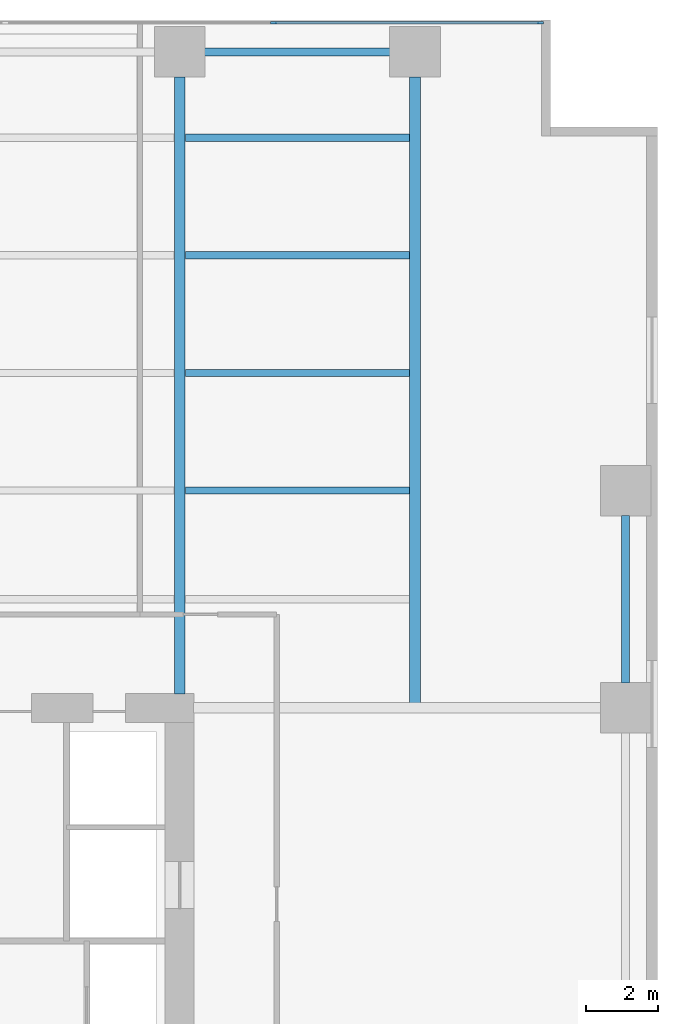
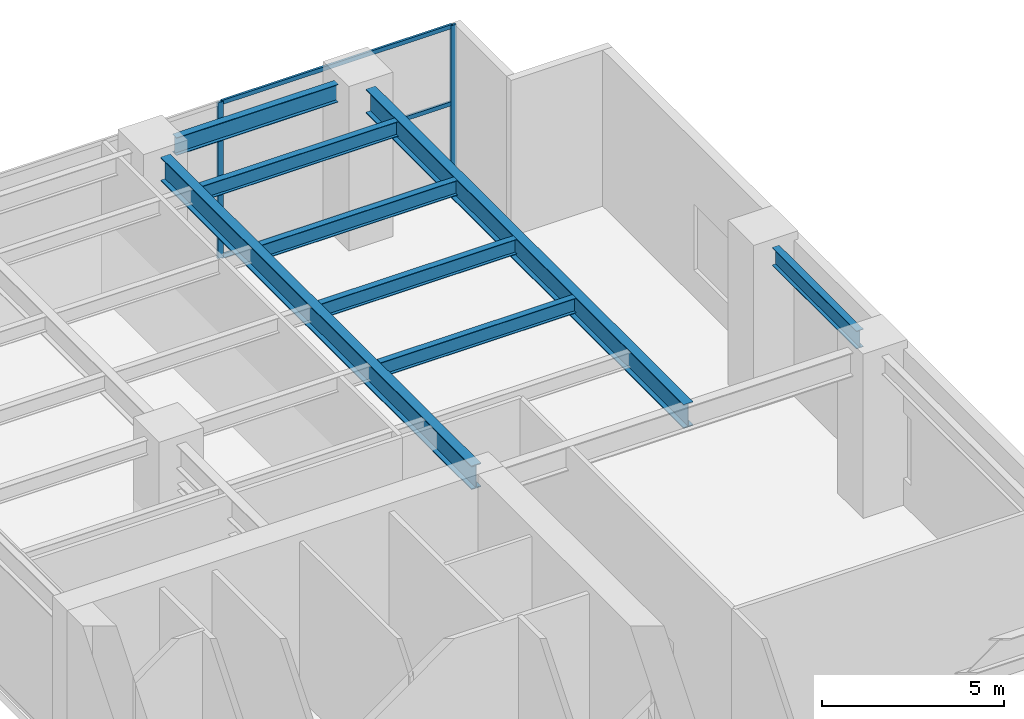
# One storey, part 8 of 17: 8 beams, 5 members, 1 element without a shape of its own.
"""IFC4 building model written with IfcOpenShell, lengths in metres."""

from ifc_helpers import new_model, si_unit, direction, frame, origin, origin_2d, place, context, subcontext, project, spatial, rectangle, i_section, extrude, material, layer, layer_set, material_profile, profile_set, type_object, element, aggregate, save


model = new_model("IFC4")

# Units and contexts
model_context = context("Model", 3, precision=1e-05, world=origin(), true_north=direction((0.0, 1.0)))
body_context = subcontext(model_context, "Body", "Model", "MODEL_VIEW")
ifc_project = project(units=[si_unit("LENGTHUNIT", "METRE"), si_unit("AREAUNIT", "SQUARE_METRE"), si_unit("VOLUMEUNIT", "CUBIC_METRE"), si_unit("PLANEANGLEUNIT", "RADIAN"), si_unit("MASSUNIT", "GRAM", prefix="KILO")], contexts=[model_context])

# Site, building, storey
site_placement = place(None, origin())
site = spatial("IfcSite", under=ifc_project, at=site_placement, CompositionType="ELEMENT")
building_placement = place(site_placement, origin())
building = spatial("IfcBuilding", under=site, at=building_placement, Name="Putna Gate Headquarters", CompositionType="ELEMENT")
storey_placement = place(building_placement, frame((0.0, 0.0, 6.0)))
storey = spatial("IfcBuildingStorey", under=building, at=storey_placement, Name="L01", CompositionType="ELEMENT", Elevation=6.0)

# Beams
ifc_material_1 = material(Name="Steel S355J2", Category="steel")
ifc_material_profile_1 = material_profile(ifc_material_1, i_section(OverallWidth=0.300048828125, OverallDepth=0.800048828125, WebThickness=0.017578125, FlangeThickness=0.032958984375, at=origin_2d()), Name="Steel S355J2")
ifc_profile_set_1 = profile_set([ifc_material_profile_1], Name="Steel S355J2")
beam_type_1 = type_object("IfcBeamType", Name="BM-GIRD-P-HEB800", PredefinedType="USERDEFINED", material=ifc_profile_set_1)
beam_1_placement = place(storey_placement, frame((65.0, 33.385009765625, 4.820068359375), z_axis=(0.0, 1.0, 0.0), x_axis=(-1.0, 0.0, 0.0)))
element("IfcBeam", 1, at=beam_1_placement, inside=storey, type_object=beam_type_1, Name="L01 North Primary Girder X65", ObjectType="GIRDER", PredefinedType="USERDEFINED", context=body_context, shape_type="SweptSolid", body=[
    extrude(i_section(OverallWidth=0.300048828125, OverallDepth=0.800048828125, WebThickness=0.017578125, FlangeThickness=0.032958984375, at=origin_2d()), origin(), (0.0, 0.0, 1.0), 17.046875),
])
beam_2_placement = place(storey_placement, frame((71.5, 33.011962890625, 4.820068359375), z_axis=(0.0, 1.0, 0.0), x_axis=(-1.0, 0.0, 0.0)))
element("IfcBeam", 2, at=beam_2_placement, inside=storey, type_object=beam_type_1, Name="L01 North Primary Girder X71", ObjectType="GIRDER", PredefinedType="USERDEFINED", context=body_context, shape_type="SweptSolid", body=[
    extrude(i_section(OverallWidth=0.300048828125, OverallDepth=0.800048828125, WebThickness=0.017578125, FlangeThickness=0.032958984375, at=origin_2d()), origin(), (0.0, 0.0, 1.0), 17.419921875),
])
ifc_material_profile_2 = material_profile(ifc_material_1, i_section(OverallWidth=0.199951171875, OverallDepth=0.5, WebThickness=0.01025390625, FlangeThickness=0.01611328125, at=origin_2d()), Name="Steel S355J2")
ifc_profile_set_2 = profile_set([ifc_material_profile_2], Name="Steel S355J2")
beam_type_2 = type_object("IfcBeamType", Name="BM-SEC-P-IPE500", PredefinedType="BEAM", material=ifc_profile_set_2)
for number, where, z_axis, x_axis, name in (
    (3, (65.154052734375, 39.0, 4.969970703125), (1.0, 0.0, 0.0), (0.0, 1.0, 0.0), "L01 North Secondary Beam 7"),
    (4, (65.154052734375, 42.25, 4.969970703125), (1.0, 0.0, 0.0), (0.0, 1.0, 0.0), "L01 North Secondary Beam 7"),
    (5, (65.154052734375, 45.5, 4.969970703125), (1.0, 0.0, 0.0), (0.0, 1.0, 0.0), "L01 North Secondary Beam 7"),
    (6, (65.154052734375, 48.75, 4.969970703125), (1.0, 0.0, 0.0), (0.0, 1.0, 0.0), "L01 North Secondary Beam 7"),
):
    element("IfcBeam", number, at=place(storey_placement, frame(where, z_axis=z_axis, x_axis=x_axis)), inside=storey, type_object=beam_type_2, Name=name, PredefinedType="BEAM", context=body_context, shape_type="SweptSolid", body=[
        extrude(i_section(OverallWidth=0.199951171875, OverallDepth=0.5, WebThickness=0.01025390625, FlangeThickness=0.01611328125, at=origin_2d()), origin(), (0.0, 0.0, 1.0), 6.19189453125),
    ])
ifc_material_profile_3 = material_profile(ifc_material_1, i_section(OverallWidth=0.219970703125, OverallDepth=0.60009765625, WebThickness=0.011962890625, FlangeThickness=0.01904296875, at=origin_2d()), Name="Steel S355J2")
ifc_profile_set_3 = profile_set([ifc_material_profile_3], Name="Steel S355J2")
beam_type_3 = type_object("IfcBeamType", Name="BM-SPAN-P-IPE600", PredefinedType="SPANDREL", material=ifc_profile_set_3)
beam_3_placement = place(storey_placement, frame((65.68798828125, 51.1201171875, 4.919921875), z_axis=(1.0, 0.0, 0.0), x_axis=(0.0, 1.0, 0.0)))
element("IfcBeam", 7, at=beam_3_placement, inside=storey, type_object=beam_type_3, Name="L01 N Perimeter Spandrel 7", PredefinedType="SPANDREL", context=body_context, shape_type="SweptSolid", body=[
    extrude(i_section(OverallWidth=0.219970703125, OverallDepth=0.60009765625, WebThickness=0.011962890625, FlangeThickness=0.01904296875, at=origin_2d()), origin(), (0.0, 0.0, 1.0), 5.1240234375),
])
beam_4_placement = place(storey_placement, frame((77.320068359375, 33.68798828125, 4.919921875), z_axis=(0.0, 1.0, 0.0), x_axis=(-1.0, 0.0, 0.0)))
element("IfcBeam", 8, at=beam_4_placement, inside=storey, type_object=beam_type_3, Name="L01 E End Spandrel 3", PredefinedType="SPANDREL", context=body_context, shape_type="SweptSolid", body=[
    extrude(i_section(OverallWidth=0.219970703125, OverallDepth=0.60009765625, WebThickness=0.011962890625, FlangeThickness=0.01904296875, at=origin_2d()), origin(), (0.0, 0.0, 1.0), 4.6240234375),
])

# Curtain wall, members
ifc_material_2 = material(Name="Anodised bronze aluminium curtain wall", Category="aluminium")
ifc_layer = layer(ifc_material_2, 0.179931640625)
ifc_layer_set = layer_set([ifc_layer], Name="Anodised bronze aluminium curtain wall")
curtain_wall_type = type_object("IfcCurtainWallType", Name="CW-SYS-POD", PredefinedType="USERDEFINED", material=ifc_layer_set)
curtain_wall_placement = place(storey_placement, origin())
curtain_wall = element("IfcCurtainWall", 9, at=curtain_wall_placement, inside=storey, type_object=curtain_wall_type, Name="L01 North East Curtain Wall", ObjectType="STICK CURTAIN WALL", PredefinedType="USERDEFINED")
ifc_material_3 = material(Name="Anodised bronze aluminium EN AW-6060", Category="aluminium")
ifc_material_profile_4 = material_profile(ifc_material_3, rectangle(XDim=0.070068359375, YDim=0.179931640625, at=origin_2d()), Name="Anodised bronze aluminium EN AW-6060")
ifc_profile_set_4 = profile_set([ifc_material_profile_4], Name="Anodised bronze aluminium EN AW-6060")
member_type_1 = type_object("IfcMemberType", Name="MULL-CWM-P", PredefinedType="MULLION", material=ifc_profile_set_4)
member_1_placement = place(storey_placement, frame((67.59326171875, 51.919921875, 0.0), z_axis=(0.0, 0.0, 1.0), x_axis=(0.0, 1.0, 0.0)))
member_1 = element("IfcMember", 10, at=member_1_placement, type_object=member_type_1, Name="CWS-P mullion 3", PredefinedType="MULLION", context=body_context, shape_type="SweptSolid", body=[
    extrude(rectangle(XDim=0.070068359375, YDim=0.179931640625, at=origin_2d()), origin(), (0.0, 0.0, 1.0), 5.219970703125),
])
member_2_placement = place(storey_placement, frame((74.965087890625, 51.919921875, 0.0), z_axis=(0.0, 0.0, 1.0), x_axis=(0.0, 1.0, 0.0)))
member_2 = element("IfcMember", 11, at=member_2_placement, type_object=member_type_1, Name="CWS-P mullion 4", PredefinedType="MULLION", context=body_context, shape_type="SweptSolid", body=[
    extrude(rectangle(XDim=0.070068359375, YDim=0.179931640625, at=origin_2d()), origin(), (0.0, 0.0, 1.0), 5.219970703125),
])
ifc_material_profile_5 = material_profile(ifc_material_3, rectangle(XDim=0.070068359375, YDim=0.139892578125, at=origin_2d()), Name="Anodised bronze aluminium EN AW-6060")
ifc_profile_set_5 = profile_set([ifc_material_profile_5], Name="Anodised bronze aluminium EN AW-6060")
member_type_2 = type_object("IfcMemberType", Name="TRAN-CWT-P", PredefinedType="USERDEFINED", material=ifc_profile_set_5)
member_3_placement = place(storey_placement, frame((67.62841796875, 51.919921875, 0.034912109375), z_axis=(1.0, 0.0, 0.0), x_axis=(0.0, 1.0, 0.0)))
member_3 = element("IfcMember", 12, at=member_3_placement, type_object=member_type_2, Name="CWS-P transom 3.1", ObjectType="TRANSOM", PredefinedType="USERDEFINED", context=body_context, shape_type="SweptSolid", body=[
    extrude(rectangle(XDim=0.070068359375, YDim=0.139892578125, at=origin_2d()), origin(), (0.0, 0.0, 1.0), 7.301513671875),
])
member_4_placement = place(storey_placement, frame((67.62841796875, 51.919921875, 2.610107421875), z_axis=(1.0, 0.0, 0.0), x_axis=(0.0, 1.0, 0.0)))
member_4 = element("IfcMember", 13, at=member_4_placement, type_object=member_type_2, Name="CWS-P transom 3.2", ObjectType="TRANSOM", PredefinedType="USERDEFINED", context=body_context, shape_type="SweptSolid", body=[
    extrude(rectangle(XDim=0.070068359375, YDim=0.139892578125, at=origin_2d()), origin(), (0.0, 0.0, 1.0), 7.301513671875),
])
member_5_placement = place(storey_placement, frame((67.62841796875, 51.919921875, 5.18505859375), z_axis=(1.0, 0.0, 0.0), x_axis=(0.0, 1.0, 0.0)))
member_5 = element("IfcMember", 14, at=member_5_placement, type_object=member_type_2, Name="CWS-P transom 3.3", ObjectType="TRANSOM", PredefinedType="USERDEFINED", context=body_context, shape_type="SweptSolid", body=[
    extrude(rectangle(XDim=0.070068359375, YDim=0.139892578125, at=origin_2d()), origin(), (0.0, 0.0, 1.0), 7.301513671875),
])
aggregate(curtain_wall, [member_1, member_2, member_3, member_4, member_5])

save(model, "model.ifc")
